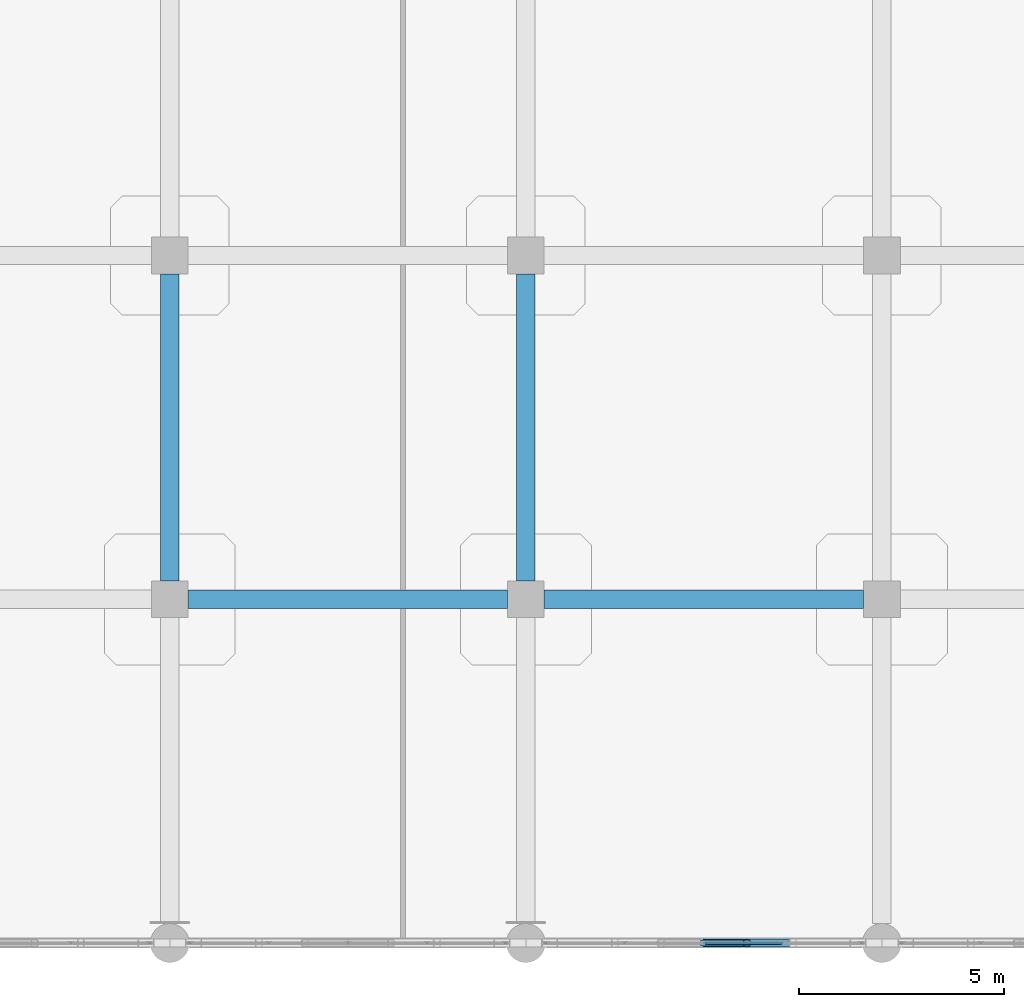
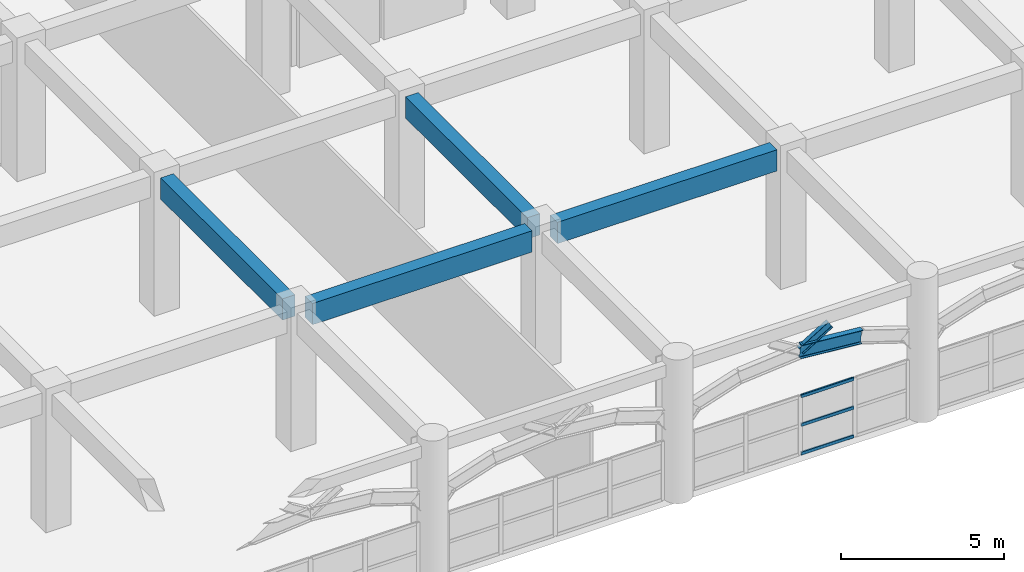
# One storey, part 14 of 114: 5 beams, 4 members, 1 element without a shape of its own.
"""IFC4 building model written with IfcOpenShell, lengths in metres."""

from ifc_helpers import new_model, si_unit, derived_unit, direction, frame, origin, origin_2d, place, context, subcontext, project, spatial, rectangle, hollow_rectangle, i_section, extrude, material, layer, layer_set, material_profile, profile_set, type_object, element, aggregate, save


model = new_model("IFC4")

# Units and contexts
model_context = context("Model", 3, precision=1e-05, world=origin(), true_north=direction((0.0, 1.0)))
body_context = subcontext(model_context, "Body", "Model", "MODEL_VIEW")
ifc_project = project(units=[si_unit("LENGTHUNIT", "METRE"), si_unit("AREAUNIT", "SQUARE_METRE"), si_unit("VOLUMEUNIT", "CUBIC_METRE"), si_unit("PLANEANGLEUNIT", "RADIAN"), si_unit("MASSUNIT", "GRAM", prefix="KILO"), derived_unit("THERMALTRANSMITTANCEUNIT", [(si_unit("MASSUNIT", "GRAM", prefix="KILO"), 1), (si_unit("TIMEUNIT", "SECOND"), -3), (si_unit("THERMODYNAMICTEMPERATUREUNIT", "KELVIN"), -1)])], contexts=[model_context])

# Site, building, storey
site_placement = place(None, origin())
site = spatial("IfcSite", under=ifc_project, at=site_placement, CompositionType="ELEMENT")
building_placement = place(site_placement, origin())
building = spatial("IfcBuilding", under=site, at=building_placement, Name="Qinzheling Arcade Emporium", CompositionType="ELEMENT")
storey_placement = place(building_placement, frame((0.0, 0.0, 6.0)))
storey = spatial("IfcBuildingStorey", under=building, at=storey_placement, Name="L02", CompositionType="ELEMENT", Elevation=6.0)

# Beam
ifc_material_1 = material(Name="Weathering steel Q355NH", Category="steel")
ifc_material_profile_1 = material_profile(ifc_material_1, i_section(OverallWidth=0.199951171875, OverallDepth=0.5, WebThickness=0.010009765625, FlangeThickness=0.01611328125, FilletRadius=0.01806640625, at=origin_2d()), Name="HN 500x200x10x16", Category="steel")
ifc_profile_set_1 = profile_set([ifc_material_profile_1], Name="Weathering steel Q355NH")
beam_type_1 = type_object("IfcBeamType", Name="Arcade End Arch Rib HN500 Q355NH", PredefinedType="BEAM", material=ifc_profile_set_1)
beam_placement = place(storey_placement, frame((47.85009765625, 0.0, 3.89990234375), z_axis=(0.996168915135, 0.0, -0.087449942932), x_axis=(0.0, 1.0, 0.0)))
element("IfcBeam", 1, at=beam_placement, inside=storey, type_object=beam_type_1, Name="Street Entrance Arch ARC-L02-S03-C04", PredefinedType="BEAM", context=body_context, shape_type="SweptSolid", body=[
    extrude(i_section(OverallWidth=0.199951171875, OverallDepth=0.5, WebThickness=0.010009765625, FlangeThickness=0.01611328125, FilletRadius=0.01806640625, at=origin_2d()), origin(), (0.0, 0.0, 1.0), 2.18310546875),
])

# Member
ifc_material_profile_2 = material_profile(ifc_material_1, i_section(OverallWidth=0.14990234375, OverallDepth=0.300048828125, WebThickness=0.006591796875, FlangeThickness=0.009033203125, FilletRadius=0.012939453125, at=origin_2d()), Name="HN 300x150x6.5x9", Category="steel")
ifc_profile_set_2 = profile_set([ifc_material_profile_2], Name="Weathering steel Q355NH")
member_type_1 = type_object("IfcMemberType", Name="Arcade Spandrel Web Chord HN300 Q355NH", PredefinedType="CHORD", material=ifc_profile_set_2)
member_1_placement = place(storey_placement, frame((47.85009765625, 0.0, 3.909912109375), z_axis=(0.853791870556, 0.0, 0.52061448479), x_axis=(0.0, 1.0, 0.0)))
element("IfcMember", 2, at=member_1_placement, inside=storey, type_object=member_type_1, Name="Street Spandrel Web Chord ASW-L02-S03-W2", PredefinedType="CHORD", context=body_context, shape_type="SweptSolid", body=[
    extrude(i_section(OverallWidth=0.14990234375, OverallDepth=0.300048828125, WebThickness=0.006591796875, FlangeThickness=0.009033203125, FilletRadius=0.012939453125, at=origin_2d()), origin(), (0.0, 0.0, 1.0), 1.2294921875),
])

# Curtain wall, members
ifc_material_2 = material(Name="Anodised aluminium and solar-control double glazing", Category="aluminium")
ifc_layer = layer(ifc_material_2, 0.159912109375, Name="Anodised aluminium and solar-control double glazing", Category="aluminium")
ifc_layer_set = layer_set([ifc_layer], Name="Anodised aluminium and solar-control double glazing")
curtain_wall_type = type_object("IfcCurtainWallType", Name="Arcade Portal Glazed Curtain Wall", PredefinedType="NOTDEFINED", material=ifc_layer_set)
curtain_wall_placement = place(storey_placement, origin())
curtain_wall = element("IfcCurtainWall", 3, at=curtain_wall_placement, inside=storey, type_object=curtain_wall_type, Name="Curtain Wall CW-L02-070", PredefinedType="NOTDEFINED")
ifc_material_3 = material(Name="Anodised aluminium 6063-T6", Category="aluminium")
ifc_material_profile_3 = material_profile(ifc_material_3, hollow_rectangle(XDim=0.06005859375, YDim=0.1201171875, WallThickness=0.00390625, InnerFilletRadius=0.00390625, OuterFilletRadius=0.008056640625, at=origin_2d()), Name="RHS 120x60x4", Category="aluminium")
ifc_profile_set_3 = profile_set([ifc_material_profile_3], Name="Anodised aluminium 6063-T6")
member_type_2 = type_object("IfcMemberType", Name="Curtain Wall Transom RHS120x60", PredefinedType="USERDEFINED", material=ifc_profile_set_3)
member_2_placement = place(storey_placement, frame((49.756591796875, 0.0, 0.030029296875), z_axis=(-1.0, 0.0, 0.0), x_axis=(0.0, -1.0, 0.0)))
member_2 = element("IfcMember", 4, at=member_2_placement, type_object=member_type_2, Name="CW05 transom 2.1", ObjectType="TRANSOM", PredefinedType="USERDEFINED", context=body_context, shape_type="SweptSolid", body=[
    extrude(hollow_rectangle(XDim=0.06005859375, YDim=0.1201171875, WallThickness=0.00390625, InnerFilletRadius=0.00390625, OuterFilletRadius=0.008056640625, at=origin_2d()), origin(), (0.0, 0.0, 1.0), 1.876708984375),
])
member_3_placement = place(storey_placement, frame((49.756591796875, 0.0, 1.10498046875), z_axis=(-1.0, 0.0, 0.0), x_axis=(0.0, -1.0, 0.0)))
member_3 = element("IfcMember", 5, at=member_3_placement, type_object=member_type_2, Name="CW05 transom 2.2", ObjectType="TRANSOM", PredefinedType="USERDEFINED", context=body_context, shape_type="SweptSolid", body=[
    extrude(hollow_rectangle(XDim=0.06005859375, YDim=0.1201171875, WallThickness=0.00390625, InnerFilletRadius=0.00390625, OuterFilletRadius=0.008056640625, at=origin_2d()), origin(), (0.0, 0.0, 1.0), 1.876708984375),
])
member_4_placement = place(storey_placement, frame((49.756591796875, 0.0, 2.179931640625), z_axis=(-1.0, 0.0, 0.0), x_axis=(0.0, -1.0, 0.0)))
member_4 = element("IfcMember", 6, at=member_4_placement, type_object=member_type_2, Name="CW05 transom 2.3", ObjectType="TRANSOM", PredefinedType="USERDEFINED", context=body_context, shape_type="SweptSolid", body=[
    extrude(hollow_rectangle(XDim=0.06005859375, YDim=0.1201171875, WallThickness=0.00390625, InnerFilletRadius=0.00390625, OuterFilletRadius=0.008056640625, at=origin_2d()), origin(), (0.0, 0.0, 1.0), 1.876708984375),
])
aggregate(curtain_wall, [member_2, member_3, member_4])

# Beams
ifc_material_4 = material(Name="Concrete C40", Category="concrete")
ifc_material_profile_4 = material_profile(ifc_material_4, rectangle(XDim=0.449951171875, YDim=0.800048828125, at=origin_2d()), Name="RC 450x800", Category="concrete")
ifc_profile_set_4 = profile_set([ifc_material_profile_4], Name="Concrete C40")
beam_type_2 = type_object("IfcBeamType", Name="RC Primary Frame Beam 450x800 C40", PredefinedType="BEAM", material=ifc_profile_set_4)
for number, where, z_axis, x_axis, name in (
    (7, (35.25, 8.39990234375, 4.719970703125), (1.0, 0.0, 0.0), (0.0, 1.0, 0.0), "Beam BM-L02-X-B-5"),
    (8, (43.949951171875, 8.39990234375, 4.719970703125), (1.0, 0.0, 0.0), (0.0, 1.0, 0.0), "Beam BM-L02-X-B-6"),
):
    element("IfcBeam", number, at=place(storey_placement, frame(where, z_axis=z_axis, x_axis=x_axis)), inside=storey, type_object=beam_type_2, Name=name, PredefinedType="BEAM", context=body_context, shape_type="SweptSolid", body=[
        extrude(rectangle(XDim=0.449951171875, YDim=0.800048828125, at=origin_2d()), origin(), (0.0, 0.0, 1.0), 7.800048828125),
    ])
for number, where, z_axis, x_axis, name in (
    (9, (34.800048828125, 8.85009765625, 4.719970703125), (0.0, 1.0, 0.0), (-1.0, 0.0, 0.0), "Beam BM-L02-Y-5-B"),
    (10, (43.5, 8.85009765625, 4.719970703125), (0.0, 1.0, 0.0), (-1.0, 0.0, 0.0), "Beam BM-L02-Y-6-B"),
):
    element("IfcBeam", number, at=place(storey_placement, frame(where, z_axis=z_axis, x_axis=x_axis)), inside=storey, type_object=beam_type_2, Name=name, PredefinedType="BEAM", context=body_context, shape_type="SweptSolid", body=[
        extrude(rectangle(XDim=0.449951171875, YDim=0.800048828125, at=origin_2d()), origin(), (0.0, 0.0, 1.0), 7.5),
    ])

save(model, "model.ifc")
